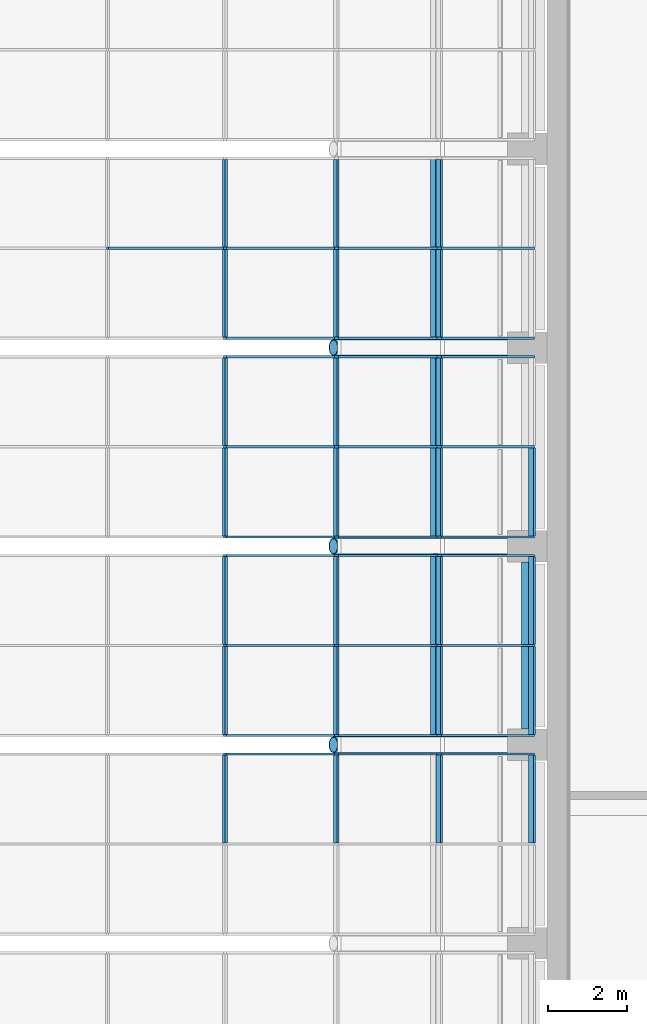
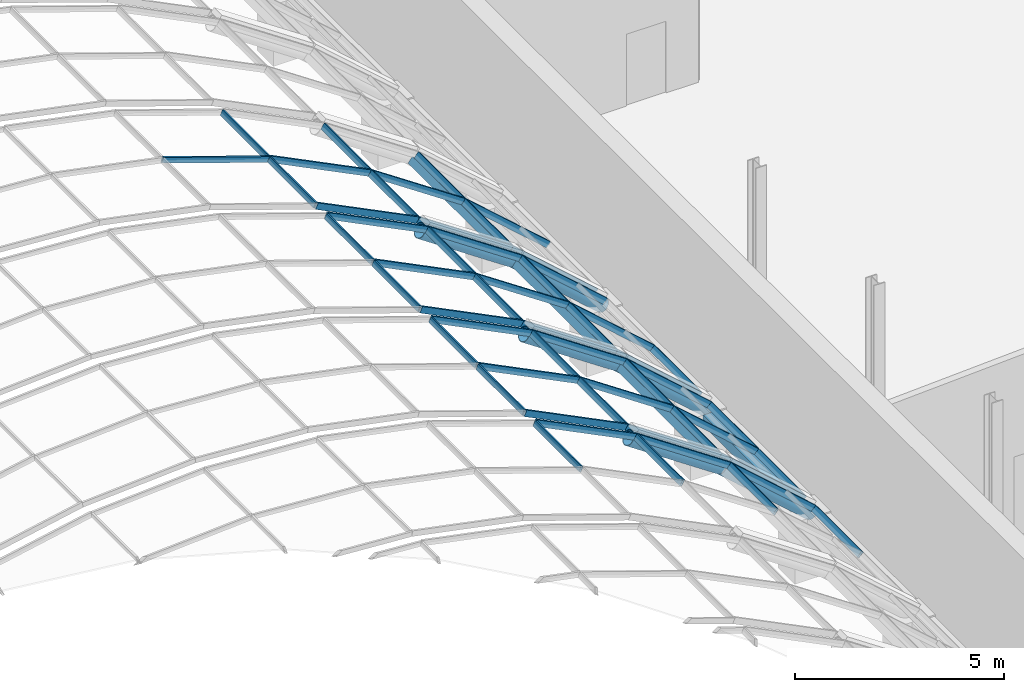
# One storey, part 77 of 182: 62 members, 1 beam, 4 elements without a shape of their own.
"""IFC4 building model written with IfcOpenShell, lengths in metres."""

from ifc_helpers import new_model, si_unit, direction, frame, origin, origin_2d, place, context, subcontext, project, spatial, rectangle, hollow_rectangle, hollow_circle, extrude, material, material_profile, profile_set, type_object, element, aggregate, save


model = new_model("IFC4")

# Units and contexts
model_context = context("Model", 3, precision=1e-05, world=origin(), true_north=direction((0.0, 1.0)))
body_context = subcontext(model_context, "Body", "Model", "MODEL_VIEW")
ifc_project = project(units=[si_unit("LENGTHUNIT", "METRE"), si_unit("AREAUNIT", "SQUARE_METRE"), si_unit("VOLUMEUNIT", "CUBIC_METRE"), si_unit("PLANEANGLEUNIT", "RADIAN"), si_unit("MASSUNIT", "GRAM", prefix="KILO")], contexts=[model_context])

# Site, building, storey
site_placement = place(None, origin())
site = spatial("IfcSite", under=ifc_project, at=site_placement, CompositionType="ELEMENT")
building_placement = place(site_placement, origin())
building = spatial("IfcBuilding", under=site, at=building_placement, Name="Okhra Congress Centre", CompositionType="ELEMENT")
storey_placement = place(building_placement, frame((0.0, 0.0, 7.199951171875)))
storey = spatial("IfcBuildingStorey", under=building, at=storey_placement, Name="L01", CompositionType="ELEMENT", Elevation=7.199951171875)

# Curtain wall, member
ifc_material_1 = material(Name="Aluminium frame with triple glazing", Category="aluminium")
curtain_wall_type = type_object("IfcCurtainWallType", Name="Glazed vault bay curtain wall", PredefinedType="NOTDEFINED", material=ifc_material_1)
curtain_wall_1_placement = place(storey_placement, origin())
curtain_wall_1 = element("IfcCurtainWall", 1, at=curtain_wall_1_placement, inside=storey, type_object=curtain_wall_type, Name="Vault glazing bay 22", PredefinedType="NOTDEFINED")
ifc_material_2 = material(Name="Aluminium alloy 6063", Category="aluminium")
ifc_material_profile_1 = material_profile(ifc_material_2, rectangle(XDim=0.06005859375, YDim=0.159912109375, at=origin_2d()), Name="AL 60x160")
ifc_profile_set_1 = profile_set([ifc_material_profile_1], Name="Aluminium alloy 6063")
member_type_1 = type_object("IfcMemberType", Name="Aluminium mullion 60x160", PredefinedType="MULLION", material=ifc_profile_set_1)
member_1_placement = place(storey_placement, frame((178.430908203125, 183.5, 8.134765625), z_axis=(0.946065064306, 0.0, -0.323976687587), x_axis=(0.0, 1.0, 0.0)))
member_1 = element("IfcMember", 2, at=member_1_placement, type_object=member_type_1, Name="Vault mullion 22.2.9", PredefinedType="MULLION", context=body_context, shape_type="SweptSolid", body=[
    extrude(rectangle(XDim=0.06005859375, YDim=0.159912109375, at=origin_2d()), origin(), (0.0, 0.0, 1.0), 3.124267578125),
])

# Curtain wall, members
curtain_wall_2_placement = place(storey_placement, origin())
curtain_wall_2 = element("IfcCurtainWall", 3, at=curtain_wall_2_placement, inside=storey, type_object=curtain_wall_type, Name="Vault glazing bay 19", PredefinedType="NOTDEFINED")
ifc_material_profile_2 = material_profile(ifc_material_2, rectangle(XDim=0.06005859375, YDim=0.179931640625, at=origin_2d()), Name="AL 60x180")
ifc_profile_set_2 = profile_set([ifc_material_profile_2], Name="Aluminium alloy 6063")
member_type_2 = type_object("IfcMemberType", Name="Aluminium mullion 60x180", PredefinedType="MULLION", material=ifc_profile_set_2)
member_2_placement = place(storey_placement, frame((181.390625, 170.766845703125, 7.1318359375), z_axis=(0.895253656313, 0.0, -0.445556832354), x_axis=(0.0, 1.0, 0.0)))
member_2 = element("IfcMember", 4, at=member_2_placement, type_object=member_type_2, Name="Vault mullion 19.3.10", PredefinedType="MULLION", context=body_context, shape_type="SweptSolid", body=[
    extrude(rectangle(XDim=0.06005859375, YDim=0.179931640625, at=origin_2d()), origin(), (0.0, 0.0, 1.0), 3.12548828125),
])
member_3_placement = place(storey_placement, frame((184.188720703125, 170.766845703125, 5.7392578125), z_axis=(0.828827846338, 0.0, -0.559503709671), x_axis=(0.0, 1.0, 0.0)))
member_3 = element("IfcMember", 5, at=member_3_placement, type_object=member_type_2, Name="Vault mullion 19.3.11", PredefinedType="MULLION", context=body_context, shape_type="SweptSolid", body=[
    extrude(rectangle(XDim=0.06005859375, YDim=0.179931640625, at=origin_2d()), origin(), (0.0, 0.0, 1.0), 3.12548828125),
])
member_4_placement = place(storey_placement, frame((186.779296875, 170.766845703125, 3.990478515625), z_axis=(0.748025229923, 0.0, -0.663670291183), x_axis=(0.0, 1.0, 0.0)))
member_4 = element("IfcMember", 6, at=member_4_placement, type_object=member_type_2, Name="Vault mullion 19.3.12", PredefinedType="MULLION", context=body_context, shape_type="SweptSolid", body=[
    extrude(rectangle(XDim=0.06005859375, YDim=0.179931640625, at=origin_2d()), origin(), (0.0, 0.0, 1.0), 3.125732421875),
])

curtain_wall_3_placement = place(storey_placement, origin())
curtain_wall_3 = element("IfcCurtainWall", 7, at=curtain_wall_3_placement, inside=storey, type_object=curtain_wall_type, Name="Vault glazing bay 20", PredefinedType="NOTDEFINED")
member_5_placement = place(storey_placement, frame((181.390625, 171.233154296875, 7.1318359375), z_axis=(0.895253656313, 0.0, -0.445556832354), x_axis=(0.0, 1.0, 0.0)))
member_5 = element("IfcMember", 8, at=member_5_placement, type_object=member_type_2, Name="Vault mullion 20.1.10", PredefinedType="MULLION", context=body_context, shape_type="SweptSolid", body=[
    extrude(rectangle(XDim=0.06005859375, YDim=0.179931640625, at=origin_2d()), origin(), (0.0, 0.0, 1.0), 3.12548828125),
])
member_6_placement = place(storey_placement, frame((184.188720703125, 171.233154296875, 5.7392578125), z_axis=(0.828827846338, 0.0, -0.559503709671), x_axis=(0.0, 1.0, 0.0)))
member_6 = element("IfcMember", 9, at=member_6_placement, type_object=member_type_2, Name="Vault mullion 20.1.11", PredefinedType="MULLION", context=body_context, shape_type="SweptSolid", body=[
    extrude(rectangle(XDim=0.06005859375, YDim=0.179931640625, at=origin_2d()), origin(), (0.0, 0.0, 1.0), 3.12548828125),
])
member_7_placement = place(storey_placement, frame((186.779296875, 171.233154296875, 3.990478515625), z_axis=(0.748025229923, 0.0, -0.663670291183), x_axis=(0.0, 1.0, 0.0)))
member_7 = element("IfcMember", 10, at=member_7_placement, type_object=member_type_2, Name="Vault mullion 20.1.12", PredefinedType="MULLION", context=body_context, shape_type="SweptSolid", body=[
    extrude(rectangle(XDim=0.06005859375, YDim=0.179931640625, at=origin_2d()), origin(), (0.0, 0.0, 1.0), 3.125732421875),
])
member_8_placement = place(storey_placement, frame((181.390625, 173.5, 7.1318359375), z_axis=(0.895253656313, 0.0, -0.445556832354), x_axis=(0.0, 1.0, 0.0)))
member_8 = element("IfcMember", 11, at=member_8_placement, type_object=member_type_2, Name="Vault mullion 20.2.10", PredefinedType="MULLION", context=body_context, shape_type="SweptSolid", body=[
    extrude(rectangle(XDim=0.06005859375, YDim=0.179931640625, at=origin_2d()), origin(), (0.0, 0.0, 1.0), 3.12548828125),
])
member_9_placement = place(storey_placement, frame((184.188720703125, 173.5, 5.7392578125), z_axis=(0.828827846338, 0.0, -0.559503709671), x_axis=(0.0, 1.0, 0.0)))
member_9 = element("IfcMember", 12, at=member_9_placement, type_object=member_type_2, Name="Vault mullion 20.2.11", PredefinedType="MULLION", context=body_context, shape_type="SweptSolid", body=[
    extrude(rectangle(XDim=0.06005859375, YDim=0.179931640625, at=origin_2d()), origin(), (0.0, 0.0, 1.0), 3.12548828125),
])
member_10_placement = place(storey_placement, frame((186.779296875, 173.5, 3.990478515625), z_axis=(0.748025229923, 0.0, -0.663670291183), x_axis=(0.0, 1.0, 0.0)))
member_10 = element("IfcMember", 13, at=member_10_placement, type_object=member_type_2, Name="Vault mullion 20.2.12", PredefinedType="MULLION", context=body_context, shape_type="SweptSolid", body=[
    extrude(rectangle(XDim=0.06005859375, YDim=0.179931640625, at=origin_2d()), origin(), (0.0, 0.0, 1.0), 3.125732421875),
])
member_11_placement = place(storey_placement, frame((181.390625, 175.766845703125, 7.1318359375), z_axis=(0.895253656313, 0.0, -0.445556832354), x_axis=(0.0, 1.0, 0.0)))
member_11 = element("IfcMember", 14, at=member_11_placement, type_object=member_type_2, Name="Vault mullion 20.3.10", PredefinedType="MULLION", context=body_context, shape_type="SweptSolid", body=[
    extrude(rectangle(XDim=0.06005859375, YDim=0.179931640625, at=origin_2d()), origin(), (0.0, 0.0, 1.0), 3.12548828125),
])
member_12_placement = place(storey_placement, frame((184.188720703125, 175.766845703125, 5.7392578125), z_axis=(0.828827846338, 0.0, -0.559503709671), x_axis=(0.0, 1.0, 0.0)))
member_12 = element("IfcMember", 15, at=member_12_placement, type_object=member_type_2, Name="Vault mullion 20.3.11", PredefinedType="MULLION", context=body_context, shape_type="SweptSolid", body=[
    extrude(rectangle(XDim=0.06005859375, YDim=0.179931640625, at=origin_2d()), origin(), (0.0, 0.0, 1.0), 3.12548828125),
])
member_13_placement = place(storey_placement, frame((186.779296875, 175.766845703125, 3.990478515625), z_axis=(0.748025229923, 0.0, -0.663670291183), x_axis=(0.0, 1.0, 0.0)))
member_13 = element("IfcMember", 16, at=member_13_placement, type_object=member_type_2, Name="Vault mullion 20.3.12", PredefinedType="MULLION", context=body_context, shape_type="SweptSolid", body=[
    extrude(rectangle(XDim=0.06005859375, YDim=0.179931640625, at=origin_2d()), origin(), (0.0, 0.0, 1.0), 3.125732421875),
])

curtain_wall_4_placement = place(storey_placement, origin())
curtain_wall_4 = element("IfcCurtainWall", 17, at=curtain_wall_4_placement, inside=storey, type_object=curtain_wall_type, Name="Vault glazing bay 21", PredefinedType="NOTDEFINED")
member_14_placement = place(storey_placement, frame((181.390625, 176.233154296875, 7.1318359375), z_axis=(0.895253656313, 0.0, -0.445556832354), x_axis=(0.0, 1.0, 0.0)))
member_14 = element("IfcMember", 18, at=member_14_placement, type_object=member_type_2, Name="Vault mullion 21.1.10", PredefinedType="MULLION", context=body_context, shape_type="SweptSolid", body=[
    extrude(rectangle(XDim=0.06005859375, YDim=0.179931640625, at=origin_2d()), origin(), (0.0, 0.0, 1.0), 3.12548828125),
])
member_15_placement = place(storey_placement, frame((184.188720703125, 176.233154296875, 5.7392578125), z_axis=(0.828827846338, 0.0, -0.559503709671), x_axis=(0.0, 1.0, 0.0)))
member_15 = element("IfcMember", 19, at=member_15_placement, type_object=member_type_2, Name="Vault mullion 21.1.11", PredefinedType="MULLION", context=body_context, shape_type="SweptSolid", body=[
    extrude(rectangle(XDim=0.06005859375, YDim=0.179931640625, at=origin_2d()), origin(), (0.0, 0.0, 1.0), 3.12548828125),
])
member_16_placement = place(storey_placement, frame((186.779296875, 176.233154296875, 3.990478515625), z_axis=(0.748025229923, 0.0, -0.663670291183), x_axis=(0.0, 1.0, 0.0)))
member_16 = element("IfcMember", 20, at=member_16_placement, type_object=member_type_2, Name="Vault mullion 21.1.12", PredefinedType="MULLION", context=body_context, shape_type="SweptSolid", body=[
    extrude(rectangle(XDim=0.06005859375, YDim=0.179931640625, at=origin_2d()), origin(), (0.0, 0.0, 1.0), 3.125732421875),
])
member_17_placement = place(storey_placement, frame((181.390625, 178.5, 7.1318359375), z_axis=(0.895253656313, 0.0, -0.445556832354), x_axis=(0.0, 1.0, 0.0)))
member_17 = element("IfcMember", 21, at=member_17_placement, type_object=member_type_2, Name="Vault mullion 21.2.10", PredefinedType="MULLION", context=body_context, shape_type="SweptSolid", body=[
    extrude(rectangle(XDim=0.06005859375, YDim=0.179931640625, at=origin_2d()), origin(), (0.0, 0.0, 1.0), 3.12548828125),
])
member_18_placement = place(storey_placement, frame((184.188720703125, 178.5, 5.7392578125), z_axis=(0.828827846338, 0.0, -0.559503709671), x_axis=(0.0, 1.0, 0.0)))
member_18 = element("IfcMember", 22, at=member_18_placement, type_object=member_type_2, Name="Vault mullion 21.2.11", PredefinedType="MULLION", context=body_context, shape_type="SweptSolid", body=[
    extrude(rectangle(XDim=0.06005859375, YDim=0.179931640625, at=origin_2d()), origin(), (0.0, 0.0, 1.0), 3.12548828125),
])
member_19_placement = place(storey_placement, frame((186.779296875, 178.5, 3.990478515625), z_axis=(0.748025229923, 0.0, -0.663670291183), x_axis=(0.0, 1.0, 0.0)))
member_19 = element("IfcMember", 23, at=member_19_placement, type_object=member_type_2, Name="Vault mullion 21.2.12", PredefinedType="MULLION", context=body_context, shape_type="SweptSolid", body=[
    extrude(rectangle(XDim=0.06005859375, YDim=0.179931640625, at=origin_2d()), origin(), (0.0, 0.0, 1.0), 3.125732421875),
])
member_20_placement = place(storey_placement, frame((181.390625, 180.766845703125, 7.1318359375), z_axis=(0.895253656313, 0.0, -0.445556832354), x_axis=(0.0, 1.0, 0.0)))
member_20 = element("IfcMember", 24, at=member_20_placement, type_object=member_type_2, Name="Vault mullion 21.3.10", PredefinedType="MULLION", context=body_context, shape_type="SweptSolid", body=[
    extrude(rectangle(XDim=0.06005859375, YDim=0.179931640625, at=origin_2d()), origin(), (0.0, 0.0, 1.0), 3.12548828125),
])
member_21_placement = place(storey_placement, frame((184.188720703125, 180.766845703125, 5.7392578125), z_axis=(0.828827846338, 0.0, -0.559503709671), x_axis=(0.0, 1.0, 0.0)))
member_21 = element("IfcMember", 25, at=member_21_placement, type_object=member_type_2, Name="Vault mullion 21.3.11", PredefinedType="MULLION", context=body_context, shape_type="SweptSolid", body=[
    extrude(rectangle(XDim=0.06005859375, YDim=0.179931640625, at=origin_2d()), origin(), (0.0, 0.0, 1.0), 3.12548828125),
])
member_22_placement = place(storey_placement, frame((186.779296875, 180.766845703125, 3.990478515625), z_axis=(0.748025229923, 0.0, -0.663670291183), x_axis=(0.0, 1.0, 0.0)))
member_22 = element("IfcMember", 26, at=member_22_placement, type_object=member_type_2, Name="Vault mullion 21.3.12", PredefinedType="MULLION", context=body_context, shape_type="SweptSolid", body=[
    extrude(rectangle(XDim=0.06005859375, YDim=0.179931640625, at=origin_2d()), origin(), (0.0, 0.0, 1.0), 3.125732421875),
])

# Member
member_23_placement = place(storey_placement, frame((181.390625, 181.233154296875, 7.1318359375), z_axis=(0.895253656313, 0.0, -0.445556832354), x_axis=(0.0, 1.0, 0.0)))
member_23 = element("IfcMember", 27, at=member_23_placement, type_object=member_type_2, Name="Vault mullion 22.1.10", PredefinedType="MULLION", context=body_context, shape_type="SweptSolid", body=[
    extrude(rectangle(XDim=0.06005859375, YDim=0.179931640625, at=origin_2d()), origin(), (0.0, 0.0, 1.0), 3.12548828125),
])

member_24_placement = place(storey_placement, frame((184.188720703125, 181.233154296875, 5.7392578125), z_axis=(0.828827846338, 0.0, -0.559503709671), x_axis=(0.0, 1.0, 0.0)))
member_24 = element("IfcMember", 28, at=member_24_placement, type_object=member_type_2, Name="Vault mullion 22.1.11", PredefinedType="MULLION", context=body_context, shape_type="SweptSolid", body=[
    extrude(rectangle(XDim=0.06005859375, YDim=0.179931640625, at=origin_2d()), origin(), (0.0, 0.0, 1.0), 3.12548828125),
])

member_25_placement = place(storey_placement, frame((186.779296875, 181.233154296875, 3.990478515625), z_axis=(0.748025229923, 0.0, -0.663670291183), x_axis=(0.0, 1.0, 0.0)))
member_25 = element("IfcMember", 29, at=member_25_placement, type_object=member_type_2, Name="Vault mullion 22.1.12", PredefinedType="MULLION", context=body_context, shape_type="SweptSolid", body=[
    extrude(rectangle(XDim=0.06005859375, YDim=0.179931640625, at=origin_2d()), origin(), (0.0, 0.0, 1.0), 3.125732421875),
])

member_26_placement = place(storey_placement, frame((181.390625, 183.5, 7.1318359375), z_axis=(0.895253656313, 0.0, -0.445556832354), x_axis=(0.0, 1.0, 0.0)))
member_26 = element("IfcMember", 30, at=member_26_placement, type_object=member_type_2, Name="Vault mullion 22.2.10", PredefinedType="MULLION", context=body_context, shape_type="SweptSolid", body=[
    extrude(rectangle(XDim=0.06005859375, YDim=0.179931640625, at=origin_2d()), origin(), (0.0, 0.0, 1.0), 3.12548828125),
])

member_27_placement = place(storey_placement, frame((184.188720703125, 183.5, 5.7392578125), z_axis=(0.828827846338, 0.0, -0.559503709671), x_axis=(0.0, 1.0, 0.0)))
member_27 = element("IfcMember", 31, at=member_27_placement, type_object=member_type_2, Name="Vault mullion 22.2.11", PredefinedType="MULLION", context=body_context, shape_type="SweptSolid", body=[
    extrude(rectangle(XDim=0.06005859375, YDim=0.179931640625, at=origin_2d()), origin(), (0.0, 0.0, 1.0), 3.12548828125),
])

member_28_placement = place(storey_placement, frame((186.779296875, 183.5, 3.990478515625), z_axis=(0.748025229923, 0.0, -0.663670291183), x_axis=(0.0, 1.0, 0.0)))
member_28 = element("IfcMember", 32, at=member_28_placement, type_object=member_type_2, Name="Vault mullion 22.2.12", PredefinedType="MULLION", context=body_context, shape_type="SweptSolid", body=[
    extrude(rectangle(XDim=0.06005859375, YDim=0.179931640625, at=origin_2d()), origin(), (0.0, 0.0, 1.0), 3.125732421875),
])

ifc_material_profile_3 = material_profile(ifc_material_2, rectangle(XDim=0.06005859375, YDim=0.159912109375, at=origin_2d()), Name="AL 60x160 transom")
ifc_profile_set_3 = profile_set([ifc_material_profile_3], Name="Aluminium alloy 6063")
member_type_3 = type_object("IfcMemberType", Name="Aluminium transom 60x160", PredefinedType="USERDEFINED", material=ifc_profile_set_3)
member_29_placement = place(storey_placement, frame((181.38671875, 168.530029296875, 7.12255859375), z_axis=(0.0, 1.0, 0.0), x_axis=(-0.922668973833, 0.0, 0.38559300399)))
member_29 = element("IfcMember", 33, at=member_29_placement, type_object=member_type_3, Name="Vault transom 19.2.10", ObjectType="TRANSOM", PredefinedType="USERDEFINED", context=body_context, shape_type="SweptSolid", body=[
    extrude(rectangle(XDim=0.06005859375, YDim=0.159912109375, at=origin_2d()), origin(), (0.0, 0.0, 1.0), 2.206787109375),
])

member_30_placement = place(storey_placement, frame((181.38671875, 171.26318359375, 7.12255859375), z_axis=(0.0, 1.0, 0.0), x_axis=(-0.922668973833, 0.0, 0.38559300399)))
member_30 = element("IfcMember", 34, at=member_30_placement, type_object=member_type_3, Name="Vault transom 20.1.10", ObjectType="TRANSOM", PredefinedType="USERDEFINED", context=body_context, shape_type="SweptSolid", body=[
    extrude(rectangle(XDim=0.06005859375, YDim=0.159912109375, at=origin_2d()), origin(), (0.0, 0.0, 1.0), 2.206787109375),
])

member_31_placement = place(storey_placement, frame((181.38671875, 173.530029296875, 7.12255859375), z_axis=(0.0, 1.0, 0.0), x_axis=(-0.922668973833, 0.0, 0.38559300399)))
member_31 = element("IfcMember", 35, at=member_31_placement, type_object=member_type_3, Name="Vault transom 20.2.10", ObjectType="TRANSOM", PredefinedType="USERDEFINED", context=body_context, shape_type="SweptSolid", body=[
    extrude(rectangle(XDim=0.06005859375, YDim=0.159912109375, at=origin_2d()), origin(), (0.0, 0.0, 1.0), 2.206787109375),
])

member_32_placement = place(storey_placement, frame((181.38671875, 176.26318359375, 7.12255859375), z_axis=(0.0, 1.0, 0.0), x_axis=(-0.922668973833, 0.0, 0.38559300399)))
member_32 = element("IfcMember", 36, at=member_32_placement, type_object=member_type_3, Name="Vault transom 21.1.10", ObjectType="TRANSOM", PredefinedType="USERDEFINED", context=body_context, shape_type="SweptSolid", body=[
    extrude(rectangle(XDim=0.06005859375, YDim=0.159912109375, at=origin_2d()), origin(), (0.0, 0.0, 1.0), 2.206787109375),
])

member_33_placement = place(storey_placement, frame((181.38671875, 178.530029296875, 7.12255859375), z_axis=(0.0, 1.0, 0.0), x_axis=(-0.922668973833, 0.0, 0.38559300399)))
member_33 = element("IfcMember", 37, at=member_33_placement, type_object=member_type_3, Name="Vault transom 21.2.10", ObjectType="TRANSOM", PredefinedType="USERDEFINED", context=body_context, shape_type="SweptSolid", body=[
    extrude(rectangle(XDim=0.06005859375, YDim=0.159912109375, at=origin_2d()), origin(), (0.0, 0.0, 1.0), 2.206787109375),
])

member_34_placement = place(storey_placement, frame((181.38671875, 181.26318359375, 7.12255859375), z_axis=(0.0, 1.0, 0.0), x_axis=(-0.922668973833, 0.0, 0.38559300399)))
member_34 = element("IfcMember", 38, at=member_34_placement, type_object=member_type_3, Name="Vault transom 22.1.10", ObjectType="TRANSOM", PredefinedType="USERDEFINED", context=body_context, shape_type="SweptSolid", body=[
    extrude(rectangle(XDim=0.06005859375, YDim=0.159912109375, at=origin_2d()), origin(), (0.0, 0.0, 1.0), 2.206787109375),
])

member_35_placement = place(storey_placement, frame((181.38671875, 183.530029296875, 7.12255859375), z_axis=(0.0, 1.0, 0.0), x_axis=(-0.922668973833, 0.0, 0.38559300399)))
member_35 = element("IfcMember", 39, at=member_35_placement, type_object=member_type_3, Name="Vault transom 22.2.10", ObjectType="TRANSOM", PredefinedType="USERDEFINED", context=body_context, shape_type="SweptSolid", body=[
    extrude(rectangle(XDim=0.06005859375, YDim=0.159912109375, at=origin_2d()), origin(), (0.0, 0.0, 1.0), 2.206787109375),
])

ifc_material_profile_4 = material_profile(ifc_material_2, rectangle(XDim=0.06005859375, YDim=0.179931640625, at=origin_2d()), Name="AL 60x180 transom")
ifc_profile_set_4 = profile_set([ifc_material_profile_4], Name="Aluminium alloy 6063")
member_type_4 = type_object("IfcMemberType", Name="Aluminium transom 60x180", PredefinedType="USERDEFINED", material=ifc_profile_set_4)
member_36_placement = place(storey_placement, frame((184.188720703125, 168.530029296875, 5.7392578125), z_axis=(0.0, 1.0, 0.0), x_axis=(-0.86391685861, 0.0, 0.503634452167)))
member_36 = element("IfcMember", 40, at=member_36_placement, type_object=member_type_4, Name="Vault transom 19.2.11", ObjectType="TRANSOM", PredefinedType="USERDEFINED", context=body_context, shape_type="SweptSolid", body=[
    extrude(rectangle(XDim=0.06005859375, YDim=0.179931640625, at=origin_2d()), origin(), (0.0, 0.0, 1.0), 2.206787109375),
])

member_37_placement = place(storey_placement, frame((186.779296875, 168.530029296875, 3.990478515625), z_axis=(0.0, 1.0, 0.0), x_axis=(-0.790145035185, 0.0, 0.612919915954)))
member_37 = element("IfcMember", 41, at=member_37_placement, type_object=member_type_4, Name="Vault transom 19.2.12", ObjectType="TRANSOM", PredefinedType="USERDEFINED", context=body_context, shape_type="SweptSolid", body=[
    extrude(rectangle(XDim=0.06005859375, YDim=0.179931640625, at=origin_2d()), origin(), (0.0, 0.0, 1.0), 2.206787109375),
])

member_38_placement = place(storey_placement, frame((189.117431640625, 168.530029296875, 1.916015625), z_axis=(0.0, 1.0, 0.0), x_axis=(-0.702636070549, 0.0, 0.711549402616)))
member_38 = element("IfcMember", 42, at=member_38_placement, type_object=member_type_4, Name="Vault transom 19.2.13", ObjectType="TRANSOM", PredefinedType="USERDEFINED", context=body_context, shape_type="SweptSolid", body=[
    extrude(rectangle(XDim=0.06005859375, YDim=0.179931640625, at=origin_2d()), origin(), (0.0, 0.0, 1.0), 2.206787109375),
])

aggregate(curtain_wall_2, [member_2, member_3, member_4, member_29, member_36, member_37, member_38])

member_39_placement = place(storey_placement, frame((184.188720703125, 171.26318359375, 5.7392578125), z_axis=(0.0, 1.0, 0.0), x_axis=(-0.86391685861, 0.0, 0.503634452167)))
member_39 = element("IfcMember", 43, at=member_39_placement, type_object=member_type_4, Name="Vault transom 20.1.11", ObjectType="TRANSOM", PredefinedType="USERDEFINED", context=body_context, shape_type="SweptSolid", body=[
    extrude(rectangle(XDim=0.06005859375, YDim=0.179931640625, at=origin_2d()), origin(), (0.0, 0.0, 1.0), 2.206787109375),
])

member_40_placement = place(storey_placement, frame((186.779296875, 171.26318359375, 3.990478515625), z_axis=(0.0, 1.0, 0.0), x_axis=(-0.790145035185, 0.0, 0.612919915954)))
member_40 = element("IfcMember", 44, at=member_40_placement, type_object=member_type_4, Name="Vault transom 20.1.12", ObjectType="TRANSOM", PredefinedType="USERDEFINED", context=body_context, shape_type="SweptSolid", body=[
    extrude(rectangle(XDim=0.06005859375, YDim=0.179931640625, at=origin_2d()), origin(), (0.0, 0.0, 1.0), 2.206787109375),
])

member_41_placement = place(storey_placement, frame((189.117431640625, 171.26318359375, 1.916015625), z_axis=(0.0, 1.0, 0.0), x_axis=(-0.702636070549, 0.0, 0.711549402616)))
member_41 = element("IfcMember", 45, at=member_41_placement, type_object=member_type_4, Name="Vault transom 20.1.13", ObjectType="TRANSOM", PredefinedType="USERDEFINED", context=body_context, shape_type="SweptSolid", body=[
    extrude(rectangle(XDim=0.06005859375, YDim=0.179931640625, at=origin_2d()), origin(), (0.0, 0.0, 1.0), 2.206787109375),
])

member_42_placement = place(storey_placement, frame((184.188720703125, 173.530029296875, 5.7392578125), z_axis=(0.0, 1.0, 0.0), x_axis=(-0.86391685861, 0.0, 0.503634452167)))
member_42 = element("IfcMember", 46, at=member_42_placement, type_object=member_type_4, Name="Vault transom 20.2.11", ObjectType="TRANSOM", PredefinedType="USERDEFINED", context=body_context, shape_type="SweptSolid", body=[
    extrude(rectangle(XDim=0.06005859375, YDim=0.179931640625, at=origin_2d()), origin(), (0.0, 0.0, 1.0), 2.206787109375),
])

member_43_placement = place(storey_placement, frame((186.779296875, 173.530029296875, 3.990478515625), z_axis=(0.0, 1.0, 0.0), x_axis=(-0.790145035185, 0.0, 0.612919915954)))
member_43 = element("IfcMember", 47, at=member_43_placement, type_object=member_type_4, Name="Vault transom 20.2.12", ObjectType="TRANSOM", PredefinedType="USERDEFINED", context=body_context, shape_type="SweptSolid", body=[
    extrude(rectangle(XDim=0.06005859375, YDim=0.179931640625, at=origin_2d()), origin(), (0.0, 0.0, 1.0), 2.206787109375),
])

member_44_placement = place(storey_placement, frame((189.117431640625, 173.530029296875, 1.916015625), z_axis=(0.0, 1.0, 0.0), x_axis=(-0.702636070549, 0.0, 0.711549402616)))
member_44 = element("IfcMember", 48, at=member_44_placement, type_object=member_type_4, Name="Vault transom 20.2.13", ObjectType="TRANSOM", PredefinedType="USERDEFINED", context=body_context, shape_type="SweptSolid", body=[
    extrude(rectangle(XDim=0.06005859375, YDim=0.179931640625, at=origin_2d()), origin(), (0.0, 0.0, 1.0), 2.206787109375),
])

aggregate(curtain_wall_3, [member_5, member_6, member_7, member_8, member_9, member_10, member_11, member_12, member_13, member_30, member_39, member_40, member_41, member_31, member_42, member_43, member_44])

member_45_placement = place(storey_placement, frame((184.188720703125, 176.26318359375, 5.7392578125), z_axis=(0.0, 1.0, 0.0), x_axis=(-0.86391685861, 0.0, 0.503634452167)))
member_45 = element("IfcMember", 49, at=member_45_placement, type_object=member_type_4, Name="Vault transom 21.1.11", ObjectType="TRANSOM", PredefinedType="USERDEFINED", context=body_context, shape_type="SweptSolid", body=[
    extrude(rectangle(XDim=0.06005859375, YDim=0.179931640625, at=origin_2d()), origin(), (0.0, 0.0, 1.0), 2.206787109375),
])

member_46_placement = place(storey_placement, frame((186.779296875, 176.26318359375, 3.990478515625), z_axis=(0.0, 1.0, 0.0), x_axis=(-0.790145035185, 0.0, 0.612919915954)))
member_46 = element("IfcMember", 50, at=member_46_placement, type_object=member_type_4, Name="Vault transom 21.1.12", ObjectType="TRANSOM", PredefinedType="USERDEFINED", context=body_context, shape_type="SweptSolid", body=[
    extrude(rectangle(XDim=0.06005859375, YDim=0.179931640625, at=origin_2d()), origin(), (0.0, 0.0, 1.0), 2.206787109375),
])

member_47_placement = place(storey_placement, frame((189.117431640625, 176.26318359375, 1.916015625), z_axis=(0.0, 1.0, 0.0), x_axis=(-0.702636070549, 0.0, 0.711549402616)))
member_47 = element("IfcMember", 51, at=member_47_placement, type_object=member_type_4, Name="Vault transom 21.1.13", ObjectType="TRANSOM", PredefinedType="USERDEFINED", context=body_context, shape_type="SweptSolid", body=[
    extrude(rectangle(XDim=0.06005859375, YDim=0.179931640625, at=origin_2d()), origin(), (0.0, 0.0, 1.0), 2.206787109375),
])

member_48_placement = place(storey_placement, frame((184.188720703125, 178.530029296875, 5.7392578125), z_axis=(0.0, 1.0, 0.0), x_axis=(-0.86391685861, 0.0, 0.503634452167)))
member_48 = element("IfcMember", 52, at=member_48_placement, type_object=member_type_4, Name="Vault transom 21.2.11", ObjectType="TRANSOM", PredefinedType="USERDEFINED", context=body_context, shape_type="SweptSolid", body=[
    extrude(rectangle(XDim=0.06005859375, YDim=0.179931640625, at=origin_2d()), origin(), (0.0, 0.0, 1.0), 2.206787109375),
])

member_49_placement = place(storey_placement, frame((186.779296875, 178.530029296875, 3.990478515625), z_axis=(0.0, 1.0, 0.0), x_axis=(-0.790145035185, 0.0, 0.612919915954)))
member_49 = element("IfcMember", 53, at=member_49_placement, type_object=member_type_4, Name="Vault transom 21.2.12", ObjectType="TRANSOM", PredefinedType="USERDEFINED", context=body_context, shape_type="SweptSolid", body=[
    extrude(rectangle(XDim=0.06005859375, YDim=0.179931640625, at=origin_2d()), origin(), (0.0, 0.0, 1.0), 2.206787109375),
])

aggregate(curtain_wall_4, [member_14, member_15, member_16, member_17, member_18, member_19, member_20, member_21, member_22, member_32, member_45, member_46, member_47, member_33, member_48, member_49])

member_50_placement = place(storey_placement, frame((184.188720703125, 181.26318359375, 5.7392578125), z_axis=(0.0, 1.0, 0.0), x_axis=(-0.86391685861, 0.0, 0.503634452167)))
member_50 = element("IfcMember", 54, at=member_50_placement, type_object=member_type_4, Name="Vault transom 22.1.11", ObjectType="TRANSOM", PredefinedType="USERDEFINED", context=body_context, shape_type="SweptSolid", body=[
    extrude(rectangle(XDim=0.06005859375, YDim=0.179931640625, at=origin_2d()), origin(), (0.0, 0.0, 1.0), 2.206787109375),
])

member_51_placement = place(storey_placement, frame((186.779296875, 181.26318359375, 3.990478515625), z_axis=(0.0, 1.0, 0.0), x_axis=(-0.790145035185, 0.0, 0.612919915954)))
member_51 = element("IfcMember", 55, at=member_51_placement, type_object=member_type_4, Name="Vault transom 22.1.12", ObjectType="TRANSOM", PredefinedType="USERDEFINED", context=body_context, shape_type="SweptSolid", body=[
    extrude(rectangle(XDim=0.06005859375, YDim=0.179931640625, at=origin_2d()), origin(), (0.0, 0.0, 1.0), 2.206787109375),
])

member_52_placement = place(storey_placement, frame((184.188720703125, 183.530029296875, 5.7392578125), z_axis=(0.0, 1.0, 0.0), x_axis=(-0.86391685861, 0.0, 0.503634452167)))
member_52 = element("IfcMember", 56, at=member_52_placement, type_object=member_type_4, Name="Vault transom 22.2.11", ObjectType="TRANSOM", PredefinedType="USERDEFINED", context=body_context, shape_type="SweptSolid", body=[
    extrude(rectangle(XDim=0.06005859375, YDim=0.179931640625, at=origin_2d()), origin(), (0.0, 0.0, 1.0), 2.206787109375),
])

member_53_placement = place(storey_placement, frame((186.779296875, 183.530029296875, 3.990478515625), z_axis=(0.0, 1.0, 0.0), x_axis=(-0.790145035185, 0.0, 0.612919915954)))
member_53 = element("IfcMember", 57, at=member_53_placement, type_object=member_type_4, Name="Vault transom 22.2.12", ObjectType="TRANSOM", PredefinedType="USERDEFINED", context=body_context, shape_type="SweptSolid", body=[
    extrude(rectangle(XDim=0.06005859375, YDim=0.179931640625, at=origin_2d()), origin(), (0.0, 0.0, 1.0), 2.206787109375),
])

aggregate(curtain_wall_1, [member_23, member_24, member_25, member_1, member_26, member_27, member_28, member_34, member_50, member_51, member_35, member_52, member_53])

# Beam
ifc_material_3 = material(Name="Steel S355J2", Category="steel")
ifc_material_profile_5 = material_profile(ifc_material_3, hollow_rectangle(XDim=0.300048828125, YDim=0.300048828125, WallThickness=0.012451171875, at=origin_2d()), Name="RHS 300x300x12.5")
ifc_profile_set_5 = profile_set([ifc_material_profile_5], Name="Steel S355J2")
beam_type = type_object("IfcBeamType", Name="Steel eaves beam RHS 300x300x12.5", PredefinedType="BEAM", material=ifc_profile_set_5)
beam_placement = place(storey_placement, frame((189.0, 171.39990234375, 1.650146484375), z_axis=(0.0, 1.0, 0.0), x_axis=(-1.0, 0.0, 0.0)))
element("IfcBeam", 58, at=beam_placement, inside=storey, type_object=beam_type, Name="Eaves beam E20", PredefinedType="BEAM", context=body_context, shape_type="SweptSolid", body=[
    extrude(hollow_rectangle(XDim=0.300048828125, YDim=0.300048828125, WallThickness=0.012451171875, at=origin_2d()), origin(), (0.0, 0.0, 1.0), 4.2001953125),
])

# Members
ifc_material_profile_6 = material_profile(ifc_material_3, hollow_rectangle(XDim=0.10009765625, YDim=0.199951171875, WallThickness=0.008056640625, at=origin_2d()), Name="RHS 200x100x8")
ifc_profile_set_6 = profile_set([ifc_material_profile_6], Name="Steel S355J2")
member_type_5 = type_object("IfcMemberType", Name="Steel purlin RHS 200x100x8", PredefinedType="PURLIN", material=ifc_profile_set_6)
for number, where, z_axis, x_axis, name in (
    (59, (186.662841796875, 171.203125, 3.84033203125), (0.0, 1.0, 0.0), (-0.790145035185, 0.0, 0.612919915954), "Vault purlin 20.11"),
    (60, (186.662841796875, 176.203125, 3.84033203125), (0.0, 1.0, 0.0), (-0.790145035185, 0.0, 0.612919915954), "Vault purlin 21.11"),
    (61, (186.662841796875, 181.203125, 3.84033203125), (0.0, 1.0, 0.0), (-0.790145035185, 0.0, 0.612919915954), "Vault purlin 22.11"),
):
    element("IfcMember", number, at=place(storey_placement, frame(where, z_axis=z_axis, x_axis=x_axis)), inside=storey, type_object=member_type_5, Name=name, PredefinedType="PURLIN", context=body_context, shape_type="SweptSolid", body=[
        extrude(hollow_rectangle(XDim=0.10009765625, YDim=0.199951171875, WallThickness=0.008056640625, at=origin_2d()), origin(), (0.0, 0.0, 1.0), 4.59375),
    ])
ifc_material_profile_7 = material_profile(ifc_material_3, hollow_circle(Radius=0.203125, WallThickness=0.01611328125, at=origin_2d()), Name="CHS 406.4x16")
ifc_profile_set_7 = profile_set([ifc_material_profile_7], Name="Steel S355J2")
member_type_6 = type_object("IfcMemberType", Name="Tubular steel arch rib CHS 406x16", PredefinedType="USERDEFINED", material=ifc_profile_set_7)
member_54_placement = place(storey_placement, frame((184.116943359375, 171.0, 5.589111328125), z_axis=(0.82882567543, 0.0, -0.559506925558), x_axis=(0.0, 1.0, 0.0)))
element("IfcMember", 62, at=member_54_placement, inside=storey, type_object=member_type_6, Name="Arch rib 20.11", ObjectType="Arch rib", PredefinedType="USERDEFINED", context=body_context, shape_type="SweptSolid", body=[
    extrude(hollow_circle(Radius=0.203125, WallThickness=0.01611328125, at=origin_2d()), origin(), (0.0, 0.0, 1.0), 3.07666015625),
])
member_55_placement = place(storey_placement, frame((186.6884765625, 171.0, 3.85107421875), z_axis=(0.74799336374, 0.0, -0.663706205938), x_axis=(0.0, 1.0, 0.0)))
element("IfcMember", 63, at=member_55_placement, inside=storey, type_object=member_type_6, Name="Arch rib 20.12", ObjectType="Arch rib", PredefinedType="USERDEFINED", context=body_context, shape_type="SweptSolid", body=[
    extrude(hollow_circle(Radius=0.203125, WallThickness=0.01611328125, at=origin_2d()), origin(), (0.0, 0.0, 1.0), 3.3193359375),
])
member_56_placement = place(storey_placement, frame((184.116943359375, 176.0, 5.589111328125), z_axis=(0.82882567543, 0.0, -0.559506925558), x_axis=(0.0, 1.0, 0.0)))
element("IfcMember", 64, at=member_56_placement, inside=storey, type_object=member_type_6, Name="Arch rib 21.11", ObjectType="Arch rib", PredefinedType="USERDEFINED", context=body_context, shape_type="SweptSolid", body=[
    extrude(hollow_circle(Radius=0.203125, WallThickness=0.01611328125, at=origin_2d()), origin(), (0.0, 0.0, 1.0), 3.07666015625),
])
member_57_placement = place(storey_placement, frame((186.6884765625, 176.0, 3.85107421875), z_axis=(0.74799336374, 0.0, -0.663706205938), x_axis=(0.0, 1.0, 0.0)))
element("IfcMember", 65, at=member_57_placement, inside=storey, type_object=member_type_6, Name="Arch rib 21.12", ObjectType="Arch rib", PredefinedType="USERDEFINED", context=body_context, shape_type="SweptSolid", body=[
    extrude(hollow_circle(Radius=0.203125, WallThickness=0.01611328125, at=origin_2d()), origin(), (0.0, 0.0, 1.0), 3.3193359375),
])
member_58_placement = place(storey_placement, frame((184.116943359375, 181.0, 5.589111328125), z_axis=(0.82882567543, 0.0, -0.559506925558), x_axis=(0.0, 1.0, 0.0)))
element("IfcMember", 66, at=member_58_placement, inside=storey, type_object=member_type_6, Name="Arch rib 22.11", ObjectType="Arch rib", PredefinedType="USERDEFINED", context=body_context, shape_type="SweptSolid", body=[
    extrude(hollow_circle(Radius=0.203125, WallThickness=0.01611328125, at=origin_2d()), origin(), (0.0, 0.0, 1.0), 3.07666015625),
])
member_59_placement = place(storey_placement, frame((186.6884765625, 181.0, 3.85107421875), z_axis=(0.74799336374, 0.0, -0.663706205938), x_axis=(0.0, 1.0, 0.0)))
element("IfcMember", 67, at=member_59_placement, inside=storey, type_object=member_type_6, Name="Arch rib 22.12", ObjectType="Arch rib", PredefinedType="USERDEFINED", context=body_context, shape_type="SweptSolid", body=[
    extrude(hollow_circle(Radius=0.203125, WallThickness=0.01611328125, at=origin_2d()), origin(), (0.0, 0.0, 1.0), 3.3193359375),
])

save(model, "model.ifc")
